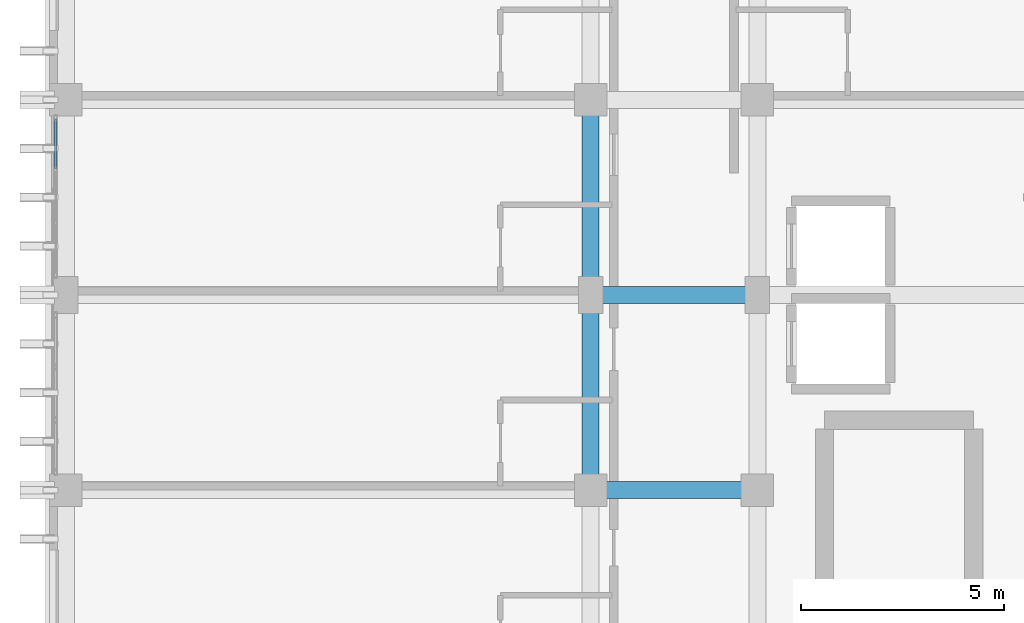
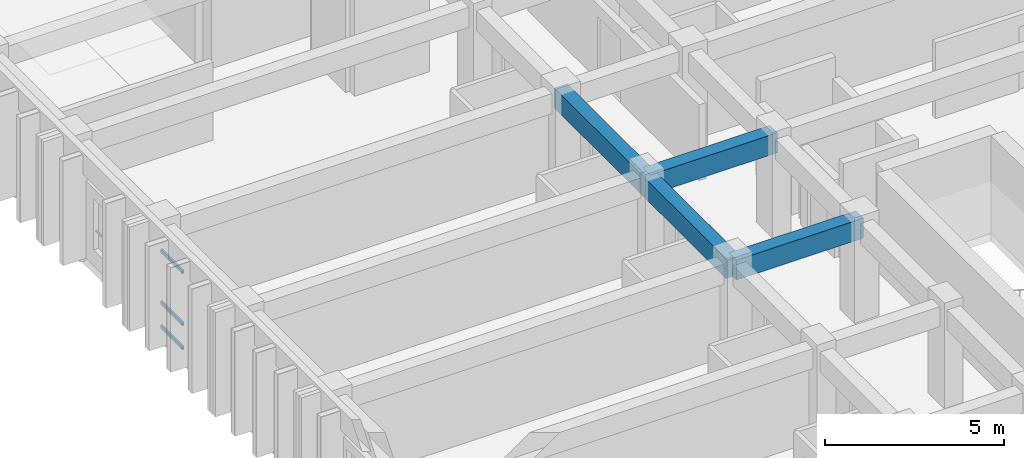
# One storey, part 22 of 82: 4 beams, 3 members, 1 element without a shape of its own.
"""IFC4 building model written with IfcOpenShell, lengths in metres."""

from ifc_helpers import new_model, si_unit, direction, frame, origin, origin_2d, place, context, subcontext, project, spatial, rectangle, hollow_rectangle, extrude, material, layer, layer_set, material_profile, profile_set, type_object, element, aggregate, save


model = new_model("IFC4")

# Units and contexts
model_context = context("Model", 3, precision=1e-05, world=origin(), true_north=direction((0.0, 1.0)))
body_context = subcontext(model_context, "Body", "Model", "MODEL_VIEW")
ifc_project = project(units=[si_unit("LENGTHUNIT", "METRE"), si_unit("AREAUNIT", "SQUARE_METRE"), si_unit("VOLUMEUNIT", "CUBIC_METRE"), si_unit("PLANEANGLEUNIT", "RADIAN"), si_unit("MASSUNIT", "GRAM", prefix="KILO")], contexts=[model_context])

# Site, building, storey
site_placement = place(None, origin())
site = spatial("IfcSite", under=ifc_project, at=site_placement, CompositionType="ELEMENT")
building_placement = place(site_placement, origin())
building = spatial("IfcBuilding", under=site, at=building_placement, Name="Nakhvara Creek Congress Hotel", CompositionType="ELEMENT")
storey_placement = place(building_placement, frame((0.0, 0.0, 21.0)))
storey = spatial("IfcBuildingStorey", under=building, at=storey_placement, Name="L04", CompositionType="ELEMENT", Elevation=21.0)

# Beams
ifc_material_1 = material(Name="Concrete C40/50", Category="concrete")
ifc_material_profile_1 = material_profile(ifc_material_1, rectangle(XDim=0.419921875, YDim=0.679931640625, at=origin_2d()), Name="RC-BM 420x680", Category="LoadBearing")
ifc_profile_set_1 = profile_set([ifc_material_profile_1], Name="Concrete C40/50")
beam_type = type_object("IfcBeamType", Name="BM-RC-420X680", PredefinedType="BEAM", material=ifc_profile_set_1)
beam_1_placement = place(storey_placement, frame((162.35009765625, 57.60009765625, 3.0), z_axis=(1.0, 0.0, 0.0), x_axis=(0.0, 1.0, 0.0)))
element("IfcBeam", 1, at=beam_1_placement, inside=storey, type_object=beam_type, Name="Beam B11-L04-1952", PredefinedType="BEAM", context=body_context, shape_type="SweptSolid", body=[
    extrude(rectangle(XDim=0.419921875, YDim=0.679931640625, at=origin_2d()), origin(), (0.0, 0.0, 1.0), 4.099853515625),
])
beam_2_placement = place(storey_placement, frame((162.35009765625, 57.60009765625, 3.0), z_axis=(0.0, 1.0, 0.0), x_axis=(-1.0, 0.0, 0.0)))
element("IfcBeam", 2, at=beam_2_placement, inside=storey, type_object=beam_type, Name="Beam B11-L04-1954", PredefinedType="BEAM", context=body_context, shape_type="SweptSolid", body=[
    extrude(rectangle(XDim=0.419921875, YDim=0.679931640625, at=origin_2d()), origin(), (0.0, 0.0, 1.0), 4.7998046875),
])
beam_3_placement = place(storey_placement, frame((162.35009765625, 62.39990234375, 3.0), z_axis=(0.0, 1.0, 0.0), x_axis=(-1.0, 0.0, 0.0)))
element("IfcBeam", 3, at=beam_3_placement, inside=storey, type_object=beam_type, Name="Beam B11-L04-1956", PredefinedType="BEAM", context=body_context, shape_type="SweptSolid", body=[
    extrude(rectangle(XDim=0.419921875, YDim=0.679931640625, at=origin_2d()), origin(), (0.0, 0.0, 1.0), 4.800048828125),
])
beam_4_placement = place(storey_placement, frame((162.35009765625, 62.39990234375, 3.0), z_axis=(1.0, 0.0, 0.0), x_axis=(0.0, 1.0, 0.0)))
element("IfcBeam", 4, at=beam_4_placement, inside=storey, type_object=beam_type, Name="Beam B11-L04-2042", PredefinedType="BEAM", context=body_context, shape_type="SweptSolid", body=[
    extrude(rectangle(XDim=0.419921875, YDim=0.679931640625, at=origin_2d()), origin(), (0.0, 0.0, 1.0), 4.099853515625),
])

# Curtain wall, members
ifc_material_2 = material(Name="Bronze-anodised aluminium AW-6063-T6 and double-silver low-E glass", Category="aluminium")
ifc_layer = layer(ifc_material_2, 0.199951171875)
ifc_layer_set = layer_set([ifc_layer], Name="Bronze-anodised aluminium AW-6063-T6 and double-silver low-E glass")
curtain_wall_type = type_object("IfcCurtainWallType", Name="CW-HTL-UNIT", PredefinedType="USERDEFINED", material=ifc_layer_set)
curtain_wall_placement = place(storey_placement, origin())
curtain_wall = element("IfcCurtainWall", 5, at=curtain_wall_placement, inside=storey, type_object=curtain_wall_type, Name="Curtain Wall CW185", ObjectType="UNITISED", PredefinedType="USERDEFINED")
ifc_material_3 = material(Name="Bronze-anodised aluminium AW-6063-T6", Category="aluminium")
ifc_material_profile_2 = material_profile(ifc_material_3, hollow_rectangle(XDim=0.06494140625, YDim=0.1201171875, WallThickness=0.00390625, at=origin_2d()), Name="ALU-TRAN 65x120x4", Category="LoadBearing")
ifc_profile_set_2 = profile_set([ifc_material_profile_2], Name="Bronze-anodised aluminium AW-6063-T6")
member_type = type_object("IfcMemberType", Name="CW-TRAN-120", PredefinedType="USERDEFINED", material=ifc_profile_set_2)
member_1_placement = place(storey_placement, frame((149.199951171875, 65.5107421875, 0.032470703125), z_axis=(0.0, 1.0, 0.0), x_axis=(-1.0, 0.0, 0.0)))
member_1 = element("IfcMember", 6, at=member_1_placement, type_object=member_type, Name="CW185 transom 3.1", ObjectType="TRANSOM", PredefinedType="USERDEFINED", context=body_context, shape_type="SweptSolid", body=[
    extrude(hollow_rectangle(XDim=0.06494140625, YDim=0.1201171875, WallThickness=0.00390625, at=origin_2d()), origin(), (0.0, 0.0, 1.0), 1.209228515625),
])
member_2_placement = place(storey_placement, frame((149.199951171875, 65.5107421875, 0.85009765625), z_axis=(0.0, 1.0, 0.0), x_axis=(-1.0, 0.0, 0.0)))
member_2 = element("IfcMember", 7, at=member_2_placement, type_object=member_type, Name="CW185 transom 3.2", ObjectType="TRANSOM", PredefinedType="USERDEFINED", context=body_context, shape_type="SweptSolid", body=[
    extrude(hollow_rectangle(XDim=0.06494140625, YDim=0.1201171875, WallThickness=0.00390625, at=origin_2d()), origin(), (0.0, 0.0, 1.0), 1.209228515625),
])
member_3_placement = place(storey_placement, frame((149.199951171875, 65.5107421875, 2.619384765625), z_axis=(0.0, 1.0, 0.0), x_axis=(-1.0, 0.0, 0.0)))
member_3 = element("IfcMember", 8, at=member_3_placement, type_object=member_type, Name="CW185 transom 3.3", ObjectType="TRANSOM", PredefinedType="USERDEFINED", context=body_context, shape_type="SweptSolid", body=[
    extrude(hollow_rectangle(XDim=0.06494140625, YDim=0.1201171875, WallThickness=0.00390625, at=origin_2d()), origin(), (0.0, 0.0, 1.0), 1.209228515625),
])
aggregate(curtain_wall, [member_1, member_2, member_3])

save(model, "model.ifc")
